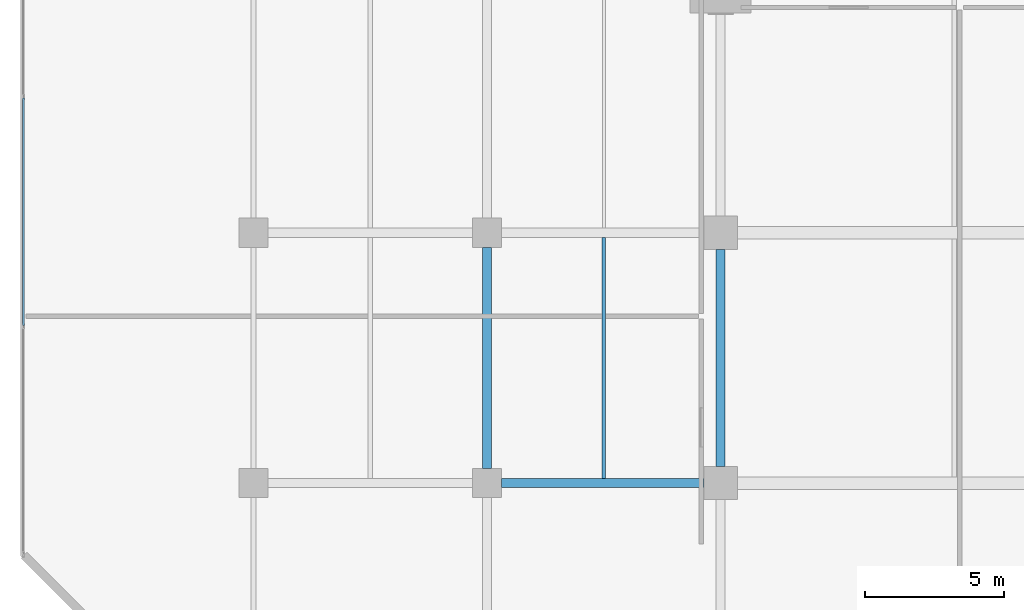
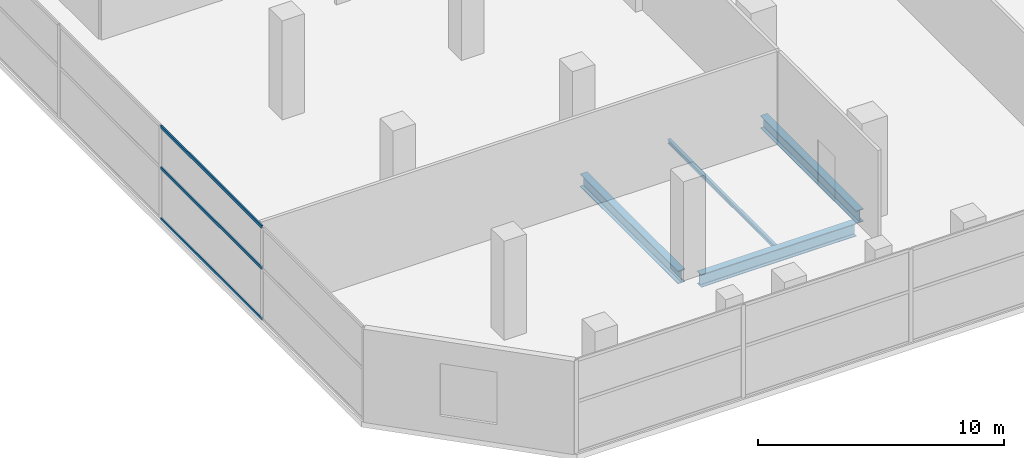
# One storey, part 8 of 39: 4 beams, 3 members, 1 element without a shape of its own.
"""IFC4 building model written with IfcOpenShell, lengths in metres."""

from ifc_helpers import new_model, si_unit, direction, frame, origin, origin_2d, place, context, subcontext, project, spatial, hollow_rectangle, i_section, extrude, material, layer, layer_set, material_profile, profile_set, type_object, element, aggregate, save


model = new_model("IFC4")

# Units and contexts
model_context = context("Model", 3, precision=1e-05, world=origin(), true_north=direction((0.0, 1.0)))
body_context = subcontext(model_context, "Body", "Model", "MODEL_VIEW")
ifc_project = project(units=[si_unit("LENGTHUNIT", "METRE"), si_unit("AREAUNIT", "SQUARE_METRE"), si_unit("VOLUMEUNIT", "CUBIC_METRE"), si_unit("PLANEANGLEUNIT", "RADIAN"), si_unit("MASSUNIT", "GRAM", prefix="KILO")], contexts=[model_context])

# Site, building, storey
site_placement = place(None, origin())
site = spatial("IfcSite", under=ifc_project, at=site_placement, CompositionType="ELEMENT")
building_placement = place(site_placement, origin())
building = spatial("IfcBuilding", under=site, at=building_placement, Name="Maruvema Waterfront Hotel and Observation Tower", CompositionType="ELEMENT")
storey_placement = place(building_placement, frame((0.0, 0.0, 16.449951171875)))
storey = spatial("IfcBuildingStorey", under=building, at=storey_placement, Name="L03", CompositionType="ELEMENT", Elevation=16.449951171875)

# Curtain wall, members
ifc_material_1 = material(Name="Anodised bronze aluminium and solar-control low-E IGU", Category="aluminium")
ifc_layer = layer(ifc_material_1, 0.159912109375, Name="Podium Waterfront Storefront Curtain Wall System CW-01")
ifc_layer_set = layer_set([ifc_layer], Name="Anodised bronze aluminium and solar-control low-E IGU")
curtain_wall_type = type_object("IfcCurtainWallType", Name="Podium Waterfront Storefront Curtain Wall System CW-01", PredefinedType="USERDEFINED", material=ifc_layer_set)
curtain_wall_placement = place(storey_placement, origin())
curtain_wall = element("IfcCurtainWall", 1, at=curtain_wall_placement, inside=storey, type_object=curtain_wall_type, Name="L03 Curtain Wall CW-L03-W", ObjectType="UNITISED CURTAIN WALL", PredefinedType="USERDEFINED")
ifc_material_2 = material(Name="Anodised architectural bronze aluminium", Category="aluminium")
ifc_material_profile_1 = material_profile(ifc_material_2, hollow_rectangle(XDim=0.070068359375, YDim=0.14990234375, WallThickness=0.00390625, at=origin_2d()), Name="ALU-T70x150")
ifc_profile_set_1 = profile_set([ifc_material_profile_1], Name="Anodised architectural bronze aluminium")
member_type = type_object("IfcMemberType", Name="Curtain Wall Horizontal Transom ALU-T70x150", PredefinedType="USERDEFINED", material=ifc_profile_set_1)
member_1_placement = place(storey_placement, frame((0.1201171875, 22.85009765625, 0.030029296875), z_axis=(0.0, -1.0, 0.0), x_axis=(1.0, 0.0, 0.0)))
member_1 = element("IfcMember", 2, at=member_1_placement, type_object=member_type, Name="CW-01 transom 4.1", ObjectType="TRANSOM", PredefinedType="USERDEFINED", context=body_context, shape_type="SweptSolid", body=[
    extrude(hollow_rectangle(XDim=0.070068359375, YDim=0.14990234375, WallThickness=0.00390625, at=origin_2d()), origin(), (0.0, 0.0, 1.0), 8.18017578125),
])
member_2_placement = place(storey_placement, frame((0.1201171875, 22.85009765625, 2.550048828125), z_axis=(0.0, -1.0, 0.0), x_axis=(1.0, 0.0, 0.0)))
member_2 = element("IfcMember", 3, at=member_2_placement, type_object=member_type, Name="CW-01 transom 4.2", ObjectType="TRANSOM", PredefinedType="USERDEFINED", context=body_context, shape_type="SweptSolid", body=[
    extrude(hollow_rectangle(XDim=0.070068359375, YDim=0.14990234375, WallThickness=0.00390625, at=origin_2d()), origin(), (0.0, 0.0, 1.0), 8.18017578125),
])
member_3_placement = place(storey_placement, frame((0.1201171875, 22.85009765625, 4.590087890625), z_axis=(0.0, -1.0, 0.0), x_axis=(1.0, 0.0, 0.0)))
member_3 = element("IfcMember", 4, at=member_3_placement, type_object=member_type, Name="CW-01 transom 4.3", ObjectType="TRANSOM", PredefinedType="USERDEFINED", context=body_context, shape_type="SweptSolid", body=[
    extrude(hollow_rectangle(XDim=0.070068359375, YDim=0.14990234375, WallThickness=0.00390625, at=origin_2d()), origin(), (0.0, 0.0, 1.0), 8.18017578125),
])
aggregate(curtain_wall, [member_1, member_2, member_3])

# Beams
ifc_material_3 = material(Name="Steel ASTM A572 Grade 50", Category="steel")
ifc_material_profile_2 = material_profile(ifc_material_3, i_section(OverallWidth=0.3291015625, OverallDepth=0.635009765625, WebThickness=0.017822265625, FlangeThickness=0.031005859375, FilletRadius=0.01806640625, at=origin_2d()), Name="W610x241.0")
ifc_profile_set_2 = profile_set([ifc_material_profile_2], Name="Steel ASTM A572 Grade 50")
beam_type_1 = type_object("IfcBeamType", Name="Primary Floor Girder W610x241.0", PredefinedType="BEAM", material=ifc_profile_set_2)
beam_1_placement = place(storey_placement, frame((17.324951171875, 9.0, -0.597412109375), z_axis=(1.0, 0.0, 0.0), x_axis=(0.0, 1.0, 0.0)))
element("IfcBeam", 5, at=beam_1_placement, inside=storey, type_object=beam_type_1, Name="L03 Floor Girder EW-11", PredefinedType="BEAM", context=body_context, shape_type="SweptSolid", body=[
    extrude(i_section(OverallWidth=0.3291015625, OverallDepth=0.635009765625, WebThickness=0.017822265625, FlangeThickness=0.031005859375, FilletRadius=0.01806640625, at=origin_2d()), origin(), (0.0, 0.0, 1.0), 7.275146484375),
])
beam_2_placement = place(storey_placement, frame((16.800048828125, 9.52490234375, -0.597412109375), z_axis=(0.0, 1.0, 0.0), x_axis=(-1.0, 0.0, 0.0)))
element("IfcBeam", 6, at=beam_2_placement, inside=storey, type_object=beam_type_1, Name="L03 Floor Girder NS-08", PredefinedType="BEAM", context=body_context, shape_type="SweptSolid", body=[
    extrude(i_section(OverallWidth=0.3291015625, OverallDepth=0.635009765625, WebThickness=0.017822265625, FlangeThickness=0.031005859375, FilletRadius=0.01806640625, at=origin_2d()), origin(), (0.0, 0.0, 1.0), 7.9501953125),
])
beam_3_placement = place(storey_placement, frame((25.199951171875, 9.60009765625, -0.597412109375), z_axis=(0.0, 1.0, 0.0), x_axis=(-1.0, 0.0, 0.0)))
element("IfcBeam", 7, at=beam_3_placement, inside=storey, type_object=beam_type_1, Name="L03 Floor Girder NS-14", PredefinedType="BEAM", context=body_context, shape_type="SweptSolid", body=[
    extrude(i_section(OverallWidth=0.3291015625, OverallDepth=0.635009765625, WebThickness=0.017822265625, FlangeThickness=0.031005859375, FilletRadius=0.01806640625, at=origin_2d()), origin(), (0.0, 0.0, 1.0), 7.7998046875),
])
ifc_material_4 = material(Name="Steel ASTM A572 Grade 50", Category="steel")
ifc_material_profile_3 = material_profile(ifc_material_4, i_section(OverallWidth=0.133056640625, OverallDepth=0.20703125, WebThickness=0.005859375, FlangeThickness=0.00830078125, FilletRadius=0.010009765625, at=origin_2d()), Name="W200x26.6")
ifc_profile_set_3 = profile_set([ifc_material_profile_3], Name="Steel ASTM A572 Grade 50")
beam_type_2 = type_object("IfcBeamType", Name="Secondary Floor Joist W200x26.6", PredefinedType="JOIST", material=ifc_profile_set_3)
beam_4_placement = place(storey_placement, frame((21.0, 9.16455078125, -0.383544921875), z_axis=(0.0, 1.0, 0.0), x_axis=(-1.0, 0.0, 0.0)))
element("IfcBeam", 8, at=beam_4_placement, inside=storey, type_object=beam_type_2, Name="L03 Secondary Floor Joist JS-05", PredefinedType="JOIST", context=body_context, shape_type="SweptSolid", body=[
    extrude(i_section(OverallWidth=0.133056640625, OverallDepth=0.20703125, WebThickness=0.005859375, FlangeThickness=0.00830078125, FilletRadius=0.010009765625, at=origin_2d()), origin(), (0.0, 0.0, 1.0), 8.6708984375),
])

save(model, "model.ifc")
